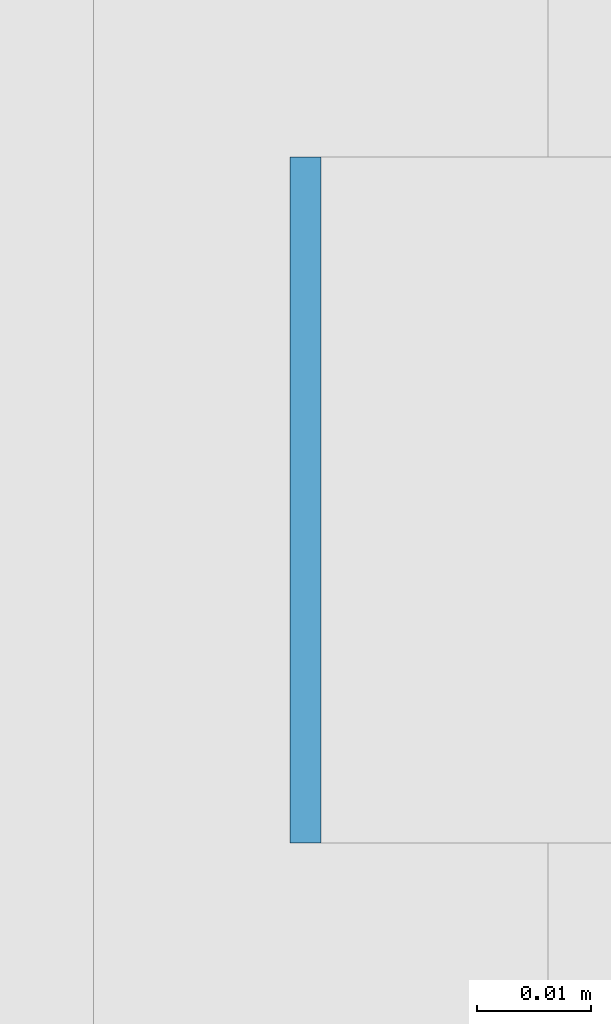
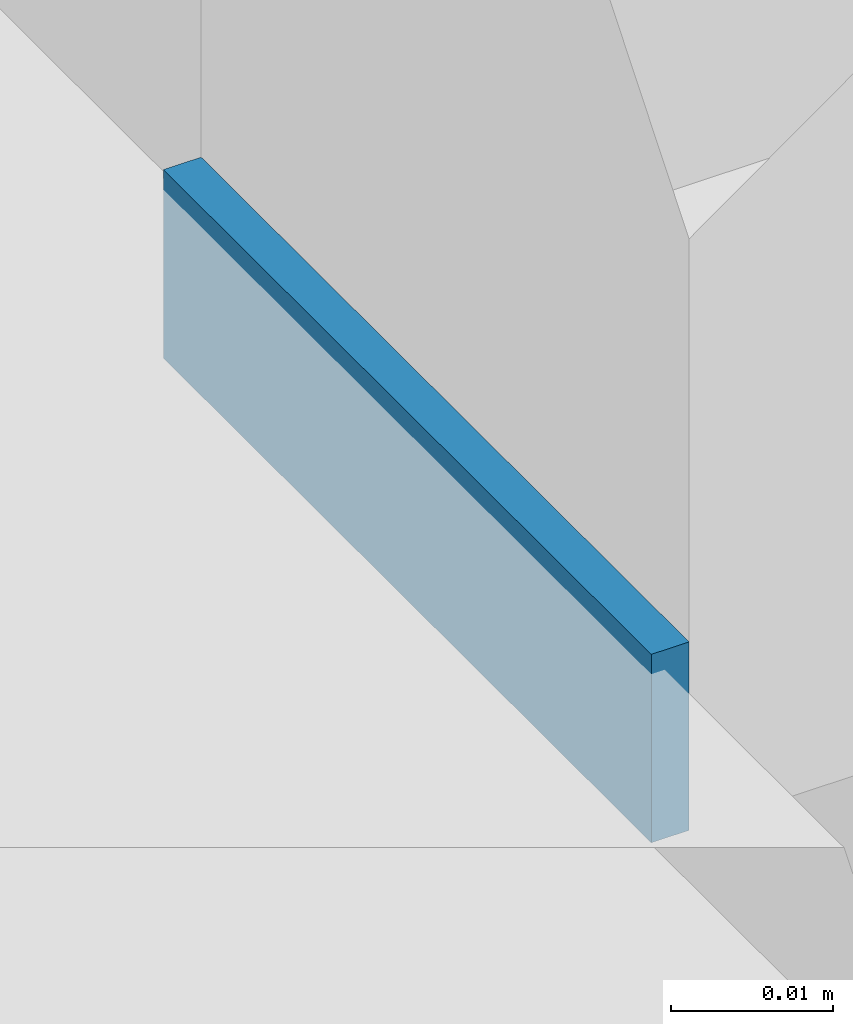
# One storey, part 450 of 646: 1 discrete accessory.
"""IFC4 building model written with IfcOpenShell, lengths in metres."""

from ifc_helpers import new_model, si_unit, direction, frame, origin, origin_2d, place, context, subcontext, project, spatial, rectangle, extrude, material, type_object, element, save


model = new_model("IFC4")

# Units and contexts
model_context = context("Model", 3, precision=1e-05, world=origin(), true_north=direction((0.0, 1.0)))
body_context = subcontext(model_context, "Body", "Model", "MODEL_VIEW")
ifc_project = project(units=[si_unit("LENGTHUNIT", "METRE"), si_unit("AREAUNIT", "SQUARE_METRE"), si_unit("VOLUMEUNIT", "CUBIC_METRE"), si_unit("PLANEANGLEUNIT", "RADIAN"), si_unit("MASSUNIT", "GRAM", prefix="KILO")], contexts=[model_context])

# Site, building, storey
site_placement = place(None, origin())
site = spatial("IfcSite", under=ifc_project, at=site_placement, CompositionType="ELEMENT")
building_placement = place(site_placement, origin())
building = spatial("IfcBuilding", under=site, at=building_placement, Name="Silverbay Arena", CompositionType="ELEMENT")
storey_placement = place(building_placement, frame((0.0, 0.0, 33.5)))
storey = spatial("IfcBuildingStorey", under=building, at=storey_placement, Name="L05", CompositionType="ELEMENT", Elevation=33.5)

# Discrete accessory
ifc_material = material(Name="Steel S355", Category="steel")
discrete_accessory_type = type_object("IfcDiscreteAccessoryType", Name="Steel bracket plate", PredefinedType="BRACKET", material=ifc_material)
discrete_accessory_placement = place(storey_placement, frame((207.128662109375, 38.571533203125, 4.0), z_axis=(0.0, 0.0, 1.0), x_axis=(1.0, 0.0, 0.0)))
element("IfcDiscreteAccessory", 1, at=discrete_accessory_placement, inside=storey, type_object=discrete_accessory_type, Name="Curtain wall packing plate", PredefinedType="BRACKET", context=body_context, shape_type="SweptSolid", body=[
    extrude(rectangle(XDim=0.002685546875, YDim=0.06005859375, at=origin_2d()), origin(), (0.0, 0.0, 1.0), 0.01416015625),
])

save(model, "model.ifc")
